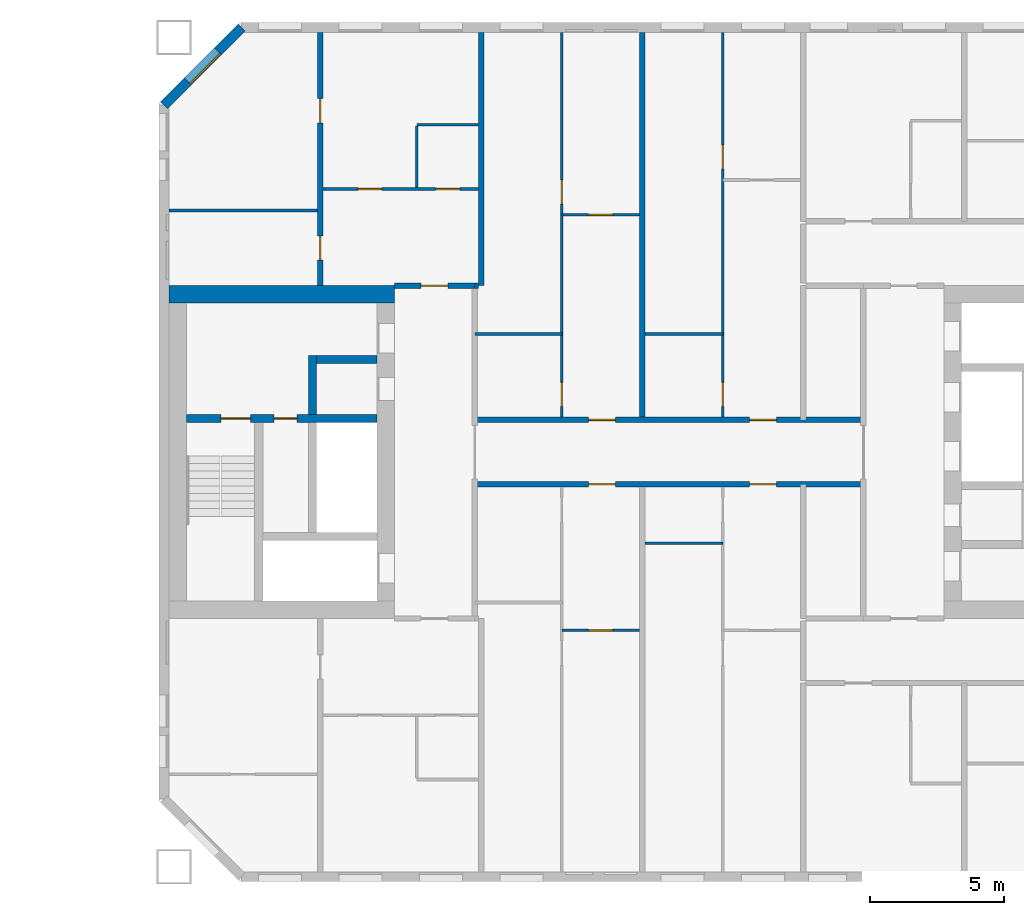
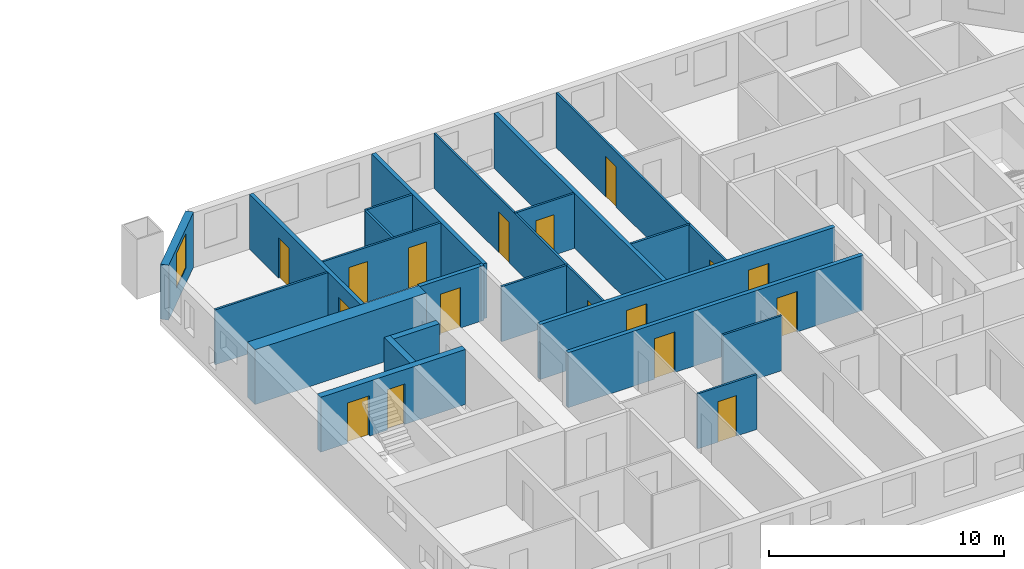
# One storey, part 11 of 17: 23 walls, 17 doors, 1 window, 18 openings.
"""IFC4 building model written with IfcOpenShell, lengths in metres."""

from ifc_helpers import new_model, si_unit, direction, frame, frame_2d, origin, place, context, subcontext, project, spatial, rectangle, extrude, material, layer, layer_set, type_object, element, fill, save


model = new_model("IFC4")

# Units and contexts
model_context = context("Model", 3, precision=1e-05, world=origin(), true_north=direction((0.0, 1.0)))
body_context = subcontext(model_context, "Body", "Model", "MODEL_VIEW")
ifc_project = project(units=[si_unit("LENGTHUNIT", "METRE"), si_unit("AREAUNIT", "SQUARE_METRE"), si_unit("VOLUMEUNIT", "CUBIC_METRE"), si_unit("PLANEANGLEUNIT", "RADIAN"), si_unit("MASSUNIT", "GRAM", prefix="KILO")], contexts=[model_context])

# Site, building, storey
site_placement = place(None, origin())
site = spatial("IfcSite", under=ifc_project, at=site_placement, CompositionType="ELEMENT")
building_placement = place(site_placement, origin())
building = spatial("IfcBuilding", under=site, at=building_placement, Name="Tuart Gate Housing", CompositionType="ELEMENT")
storey_placement = place(building_placement, frame((0.0, 0.0, 108.800048828125)))
storey = spatial("IfcBuildingStorey", under=building, at=storey_placement, Name="L30", CompositionType="ELEMENT", Elevation=108.800048828125)

# Wall, opening, window
ifc_material_1 = material(Name="Brick", Category="masonry")
ifc_layer_1 = layer(ifc_material_1, 0.360107421875)
ifc_layer_set_1 = layer_set([ifc_layer_1], Name="Brick pier and spandrel wall 360")
wall_type_1 = type_object("IfcWallType", Name="Brick pier and spandrel wall 360", PredefinedType="STANDARD", material=ifc_layer_set_1)
wall_1_placement = place(storey_placement, frame((134.07470703125, 85.820068359375, 0.0), z_axis=(0.0, 0.0, 1.0), x_axis=(-0.707106781187, -0.707106781187, 0.0)))
wall_1 = element("IfcWall", 1, at=wall_1_placement, inside=storey, type_object=wall_type_1, Name="External wall B-NW L30", PredefinedType="STANDARD", context=body_context, shape_type="SweptSolid", body=[
    extrude(rectangle(XDim=4.09375, YDim=0.360107421875, at=frame_2d((2.046875, 0.0))), origin(), (0.0, 0.0, 1.0), 2.849853515625),
])
opening_1_placement = place(wall_1_placement, frame((1.2470703125, 0.0, 0.800048828125)))
opening_1 = element("IfcOpeningElement", 2, at=opening_1_placement, cuts=wall_1, Name="Opening W1", PredefinedType="OPENING", context=body_context, shape_type="SweptSolid", body=[
    extrude(rectangle(XDim=1.60009765625, YDim=1.800048828125, at=frame_2d((0.800048828125, 0.89990234375))), frame((0.0, 0.18994140625, 0.0), z_axis=(0.0, -1.0, 0.0), x_axis=(1.0, 0.0, 0.0)), (0.0, 0.0, 1.0), 0.380126953125),
])
ifc_material_2 = material(Name="Aluminium frame with clear glass", Category="aluminium")
window_type = type_object("IfcWindowType", Name="Punched window 1600 x 1800", PartitioningType="SINGLE_PANEL", PredefinedType="WINDOW", material=ifc_material_2)
window_placement = place(opening_1_placement, origin())
window = element("IfcWindow", 3, at=window_placement, inside=storey, type_object=window_type, Name="Window W1", OverallHeight=1.800048828125, OverallWidth=1.60009765625, PartitioningType="SINGLE_PANEL", PredefinedType="WINDOW", context=body_context, shape_type="SweptSolid", body=[
    extrude(rectangle(XDim=1.60009765625, YDim=1.800048828125, at=frame_2d((0.800048828125, 0.89990234375))), frame((0.0, 0.150146484375, 0.0), z_axis=(0.0, -1.0, 0.0), x_axis=(1.0, 0.0, 0.0)), (0.0, 0.0, 1.0), 0.06005859375),
])
fill(opening_1, window)

# Wall, openings, doors
ifc_material_3 = material(Name="Concrete C50", Category="concrete")
ifc_layer_2 = layer(ifc_material_3, 0.300048828125)
ifc_layer_set_2 = layer_set([ifc_layer_2], Name="Core wall 300 C50")
wall_type_2 = type_object("IfcWallType", Name="Core wall 300 C50", PredefinedType="SHEAR", material=ifc_layer_set_2)
wall_2_placement = place(storey_placement, frame((139.110107421875, 71.25, 0.0), z_axis=(0.0, 0.0, 1.0), x_axis=(-1.0, 0.0, 0.0)))
wall_2 = element("IfcWall", 4, at=wall_2_placement, inside=storey, type_object=wall_type_2, Name="Core wall BG.2", PredefinedType="SHEAR", context=body_context, shape_type="SweptSolid", body=[
    extrude(rectangle(XDim=7.10009765625, YDim=0.300048828125, at=frame_2d((3.550048828125, 0.0))), origin(), (0.0, 0.0, 1.0), 2.849853515625),
])
opening_2_placement = place(wall_2_placement, frame((4.699951171875, 0.0, 0.0)))
opening_2 = element("IfcOpeningElement", 5, at=opening_2_placement, cuts=wall_2, Name="Opening D1256", PredefinedType="OPENING", context=body_context, shape_type="SweptSolid", body=[
    extrude(rectangle(XDim=1.10009765625, YDim=2.10009765625, at=frame_2d((0.550048828125, 1.050048828125))), frame((0.0, 0.159912109375, 0.0), z_axis=(0.0, -1.0, 0.0), x_axis=(1.0, 0.0, 0.0)), (0.0, 0.0, 1.0), 0.320068359375),
])
opening_3_placement = place(wall_2_placement, frame((2.97509765625, 0.0, 0.0)))
opening_3 = element("IfcOpeningElement", 6, at=opening_3_placement, cuts=wall_2, Name="Opening D1255", PredefinedType="OPENING", context=body_context, shape_type="SweptSolid", body=[
    extrude(rectangle(XDim=0.85009765625, YDim=2.10009765625, at=frame_2d((0.425048828125, 1.050048828125))), frame((0.0, 0.159912109375, 0.0), z_axis=(0.0, -1.0, 0.0), x_axis=(1.0, 0.0, 0.0)), (0.0, 0.0, 1.0), 0.320068359375),
])
ifc_material_4 = material(Name="Steel fire door", Category="steel")
door_type_1 = type_object("IfcDoorType", Name="Riser door 850 x 2100", OperationType="SINGLE_SWING_LEFT", PredefinedType="DOOR", material=ifc_material_4)
door_1_placement = place(opening_3_placement, origin())
door_1 = element("IfcDoor", 7, at=door_1_placement, inside=storey, type_object=door_type_1, Name="Service room door BG.W1", OperationType="SINGLE_SWING_LEFT", OverallHeight=2.10009765625, OverallWidth=0.85009765625, PredefinedType="DOOR", context=body_context, shape_type="SweptSolid", body=[
    extrude(rectangle(XDim=0.85009765625, YDim=2.10009765625, at=frame_2d((0.425048828125, 1.050048828125))), frame((0.0, 0.02490234375, 0.0), z_axis=(0.0, -1.0, 0.0), x_axis=(1.0, 0.0, 0.0)), (0.0, 0.0, 1.0), 0.050048828125),
])
fill(opening_3, door_1)
ifc_material_5 = material(Name="Steel fire door", Category="steel")
door_type_2 = type_object("IfcDoorType", Name="Stair door 1100 x 2100", OperationType="SINGLE_SWING_LEFT", PredefinedType="DOOR", material=ifc_material_5)
door_2_placement = place(opening_2_placement, origin())
door_2 = element("IfcDoor", 8, at=door_2_placement, inside=storey, type_object=door_type_2, Name="Stair door BG.SD", OperationType="SINGLE_SWING_LEFT", OverallHeight=2.10009765625, OverallWidth=1.10009765625, PredefinedType="DOOR", context=body_context, shape_type="SweptSolid", body=[
    extrude(rectangle(XDim=1.10009765625, YDim=2.10009765625, at=frame_2d((0.550048828125, 1.050048828125))), frame((0.0, 0.02490234375, 0.0), z_axis=(0.0, -1.0, 0.0), x_axis=(1.0, 0.0, 0.0)), (0.0, 0.0, 1.0), 0.050048828125),
])
fill(opening_2, door_2)

# Walls
wall_3_placement = place(storey_placement, frame((139.110107421875, 73.449951171875, 0.0), z_axis=(0.0, 0.0, 1.0), x_axis=(-1.0, 0.0, 0.0)))
element("IfcWall", 9, at=wall_3_placement, inside=storey, type_object=wall_type_2, Name="Core wall BG.3", PredefinedType="SHEAR", context=body_context, shape_type="SweptSolid", body=[
    extrude(rectangle(XDim=2.25, YDim=0.300048828125, at=frame_2d((1.125, 0.0))), origin(), (0.0, 0.0, 1.0), 2.849853515625),
])
wall_4_placement = place(storey_placement, frame((136.7099609375, 71.39990234375, 0.0), z_axis=(0.0, 0.0, 1.0), x_axis=(0.0, 1.0, 0.0)))
element("IfcWall", 10, at=wall_4_placement, inside=storey, type_object=wall_type_2, Name="Core wall BG.5", PredefinedType="SHEAR", context=body_context, shape_type="SweptSolid", body=[
    extrude(rectangle(XDim=2.2001953125, YDim=0.300048828125, at=frame_2d((1.10009765625, 0.0))), origin(), (0.0, 0.0, 1.0), 2.849853515625),
])
ifc_material_6 = material(Name="Concrete C50", Category="concrete")
ifc_layer_3 = layer(ifc_material_6, 0.64990234375)
ifc_layer_set_3 = layer_set([ifc_layer_3], Name="Core wall 650 C50")
wall_type_3 = type_object("IfcWallType", Name="Core wall 650 C50", PredefinedType="SHEAR", material=ifc_layer_set_3)
wall_5_placement = place(storey_placement, frame((139.760009765625, 75.875, 0.0), z_axis=(0.0, 0.0, 1.0), x_axis=(-1.0, 0.0, 0.0)))
element("IfcWall", 11, at=wall_5_placement, inside=storey, type_object=wall_type_3, Name="Core wall BG north", PredefinedType="SHEAR", context=body_context, shape_type="SweptSolid", body=[
    extrude(rectangle(XDim=8.39990234375, YDim=0.64990234375, at=frame_2d((4.199951171875, 0.0))), origin(), (0.0, 0.0, 1.0), 2.849853515625),
])

# Wall, openings, doors
ifc_material_7 = material(Name="Concrete masonry 15 MPa", Category="masonry")
ifc_layer_4 = layer(ifc_material_7, 0.199951171875)
ifc_layer_set_4 = layer_set([ifc_layer_4], Name="Corridor wall masonry 200")
wall_type_4 = type_object("IfcWallType", Name="Corridor wall masonry 200", PredefinedType="PARTITIONING", material=ifc_layer_set_4)
wall_6_placement = place(storey_placement, frame((142.760009765625, 68.800048828125, 0.0), z_axis=(0.0, 0.0, 1.0), x_axis=(1.0, 0.0, 0.0)))
wall_6 = element("IfcWall", 12, at=wall_6_placement, inside=storey, type_object=wall_type_4, Name="Corridor wall masonry 200", PredefinedType="PARTITIONING", context=body_context, shape_type="SweptSolid", body=[
    extrude(rectangle(XDim=14.47998046875, YDim=0.199951171875, at=frame_2d((7.239990234375, 0.0))), origin(), (0.0, 0.0, 1.0), 2.849853515625),
])
opening_4_placement = place(wall_6_placement, frame((4.239990234375, 0.0, 0.0)))
opening_4 = element("IfcOpeningElement", 13, at=opening_4_placement, cuts=wall_6, Name="Opening D1267", PredefinedType="OPENING", context=body_context, shape_type="SweptSolid", body=[
    extrude(rectangle(XDim=1.0, YDim=2.10009765625, at=frame_2d((0.5, 1.050048828125))), frame((0.0, 0.10986328125, 0.0), z_axis=(0.0, -1.0, 0.0), x_axis=(1.0, 0.0, 0.0)), (0.0, 0.0, 1.0), 0.219970703125),
])
opening_5_placement = place(wall_6_placement, frame((10.239990234375, 0.0, 0.0)))
opening_5 = element("IfcOpeningElement", 14, at=opening_5_placement, cuts=wall_6, Name="Opening D1268", PredefinedType="OPENING", context=body_context, shape_type="SweptSolid", body=[
    extrude(rectangle(XDim=1.0, YDim=2.10009765625, at=frame_2d((0.5, 1.050048828125))), frame((0.0, 0.10986328125, 0.0), z_axis=(0.0, -1.0, 0.0), x_axis=(1.0, 0.0, 0.0)), (0.0, 0.0, 1.0), 0.219970703125),
])
ifc_material_8 = material(Name="Timber door leaf in steel frame", Category="steel")
door_type_3 = type_object("IfcDoorType", Name="Flat entrance door 1000 RH", OperationType="SINGLE_SWING_RIGHT", PredefinedType="DOOR", material=ifc_material_8)
door_3_placement = place(opening_4_placement, frame((1.0, 0.0, 0.0), z_axis=(0.0, 0.0, 1.0), x_axis=(-1.0, 0.0, 0.0)))
door_3 = element("IfcDoor", 15, at=door_3_placement, inside=storey, type_object=door_type_3, Name="Flat entrance door", OperationType="SINGLE_SWING_RIGHT", OverallHeight=2.10009765625, OverallWidth=1.0, PredefinedType="DOOR", context=body_context, shape_type="SweptSolid", body=[
    extrude(rectangle(XDim=1.0, YDim=2.10009765625, at=frame_2d((0.5, 1.050048828125))), frame((0.0, 0.025146484375, 0.0), z_axis=(0.0, -1.0, 0.0), x_axis=(1.0, 0.0, 0.0)), (0.0, 0.0, 1.0), 0.050048828125),
])
fill(opening_4, door_3)
door_4_placement = place(opening_5_placement, frame((1.0, 0.0, 0.0), z_axis=(0.0, 0.0, 1.0), x_axis=(-1.0, 0.0, 0.0)))
door_4 = element("IfcDoor", 16, at=door_4_placement, inside=storey, type_object=door_type_3, Name="Flat entrance door", OperationType="SINGLE_SWING_RIGHT", OverallHeight=2.10009765625, OverallWidth=1.0, PredefinedType="DOOR", context=body_context, shape_type="SweptSolid", body=[
    extrude(rectangle(XDim=1.0, YDim=2.10009765625, at=frame_2d((0.5, 1.050048828125))), frame((0.0, 0.025146484375, 0.0), z_axis=(0.0, -1.0, 0.0), x_axis=(1.0, 0.0, 0.0)), (0.0, 0.0, 1.0), 0.050048828125),
])
fill(opening_5, door_4)

wall_7_placement = place(storey_placement, frame((142.760009765625, 71.199951171875, 0.0), z_axis=(0.0, 0.0, 1.0), x_axis=(1.0, 0.0, 0.0)))
wall_7 = element("IfcWall", 17, at=wall_7_placement, inside=storey, type_object=wall_type_4, Name="Corridor wall masonry 200", PredefinedType="PARTITIONING", context=body_context, shape_type="SweptSolid", body=[
    extrude(rectangle(XDim=14.47998046875, YDim=0.199951171875, at=frame_2d((7.239990234375, 0.0))), origin(), (0.0, 0.0, 1.0), 2.849853515625),
])
opening_6_placement = place(wall_7_placement, frame((4.239990234375, 0.0, 0.0)))
opening_6 = element("IfcOpeningElement", 18, at=opening_6_placement, cuts=wall_7, Name="Opening D1257", PredefinedType="OPENING", context=body_context, shape_type="SweptSolid", body=[
    extrude(rectangle(XDim=1.0, YDim=2.10009765625, at=frame_2d((0.5, 1.050048828125))), frame((0.0, 0.10986328125, 0.0), z_axis=(0.0, -1.0, 0.0), x_axis=(1.0, 0.0, 0.0)), (0.0, 0.0, 1.0), 0.219970703125),
])
opening_7_placement = place(wall_7_placement, frame((10.239990234375, 0.0, 0.0)))
opening_7 = element("IfcOpeningElement", 19, at=opening_7_placement, cuts=wall_7, Name="Opening D1258", PredefinedType="OPENING", context=body_context, shape_type="SweptSolid", body=[
    extrude(rectangle(XDim=1.0, YDim=2.10009765625, at=frame_2d((0.5, 1.050048828125))), frame((0.0, 0.10986328125, 0.0), z_axis=(0.0, -1.0, 0.0), x_axis=(1.0, 0.0, 0.0)), (0.0, 0.0, 1.0), 0.219970703125),
])
ifc_material_9 = material(Name="Timber door leaf in steel frame", Category="steel")
door_type_4 = type_object("IfcDoorType", Name="Flat entrance door 1000", OperationType="SINGLE_SWING_LEFT", PredefinedType="DOOR", material=ifc_material_9)
door_5_placement = place(opening_6_placement, origin())
door_5 = element("IfcDoor", 20, at=door_5_placement, inside=storey, type_object=door_type_4, Name="Flat entrance door", OperationType="SINGLE_SWING_LEFT", OverallHeight=2.10009765625, OverallWidth=1.0, PredefinedType="DOOR", context=body_context, shape_type="SweptSolid", body=[
    extrude(rectangle(XDim=1.0, YDim=2.10009765625, at=frame_2d((0.5, 1.050048828125))), frame((0.0, 0.02490234375, 0.0), z_axis=(0.0, -1.0, 0.0), x_axis=(1.0, 0.0, 0.0)), (0.0, 0.0, 1.0), 0.050048828125),
])
fill(opening_6, door_5)
door_6_placement = place(opening_7_placement, origin())
door_6 = element("IfcDoor", 21, at=door_6_placement, inside=storey, type_object=door_type_4, Name="Flat entrance door", OperationType="SINGLE_SWING_LEFT", OverallHeight=2.10009765625, OverallWidth=1.0, PredefinedType="DOOR", context=body_context, shape_type="SweptSolid", body=[
    extrude(rectangle(XDim=1.0, YDim=2.10009765625, at=frame_2d((0.5, 1.050048828125))), frame((0.0, 0.02490234375, 0.0), z_axis=(0.0, -1.0, 0.0), x_axis=(1.0, 0.0, 0.0)), (0.0, 0.0, 1.0), 0.050048828125),
])
fill(opening_7, door_6)

# Wall, opening, door
ifc_material_10 = material(Name="Concrete masonry 15 MPa", Category="masonry")
ifc_layer_5 = layer(ifc_material_10, 0.199951171875)
ifc_layer_set_5 = layer_set([ifc_layer_5], Name="Enclosure wall masonry 200")
wall_type_5 = type_object("IfcWallType", Name="Enclosure wall masonry 200", PredefinedType="PARTITIONING", material=ifc_layer_set_5)
wall_8_placement = place(storey_placement, frame((139.760009765625, 76.199951171875, 0.0), z_axis=(0.0, 0.0, 1.0), x_axis=(1.0, 0.0, 0.0)))
wall_8 = element("IfcWall", 22, at=wall_8_placement, inside=storey, type_object=wall_type_5, Name="Enclosure wall masonry 200", PredefinedType="PARTITIONING", context=body_context, shape_type="SweptSolid", body=[
    extrude(rectangle(XDim=3.0, YDim=0.199951171875, at=frame_2d((1.5, 0.0))), origin(), (0.0, 0.0, 1.0), 2.849853515625),
])
opening_8_placement = place(wall_8_placement, frame((1.0, 0.0, 0.0)))
opening_8 = element("IfcOpeningElement", 23, at=opening_8_placement, cuts=wall_8, Name="Opening D1253", PredefinedType="OPENING", context=body_context, shape_type="SweptSolid", body=[
    extrude(rectangle(XDim=1.0, YDim=2.10009765625, at=frame_2d((0.5, 1.050048828125))), frame((0.0, 0.10986328125, 0.0), z_axis=(0.0, -1.0, 0.0), x_axis=(1.0, 0.0, 0.0)), (0.0, 0.0, 1.0), 0.219970703125),
])
door_7_placement = place(opening_8_placement, origin())
door_7 = element("IfcDoor", 24, at=door_7_placement, inside=storey, type_object=door_type_3, Name="Flat entrance door", OperationType="SINGLE_SWING_RIGHT", OverallHeight=2.10009765625, OverallWidth=1.0, PredefinedType="DOOR", context=body_context, shape_type="SweptSolid", body=[
    extrude(rectangle(XDim=1.0, YDim=2.10009765625, at=frame_2d((0.5, 1.050048828125))), frame((0.0, 0.02490234375, 0.0), z_axis=(0.0, -1.0, 0.0), x_axis=(1.0, 0.0, 0.0)), (0.0, 0.0, 1.0), 0.050048828125),
])
fill(opening_8, door_7)

ifc_material_11 = material(Name="Gypsum board on steel studs", Category="steel")
ifc_layer_6 = layer(ifc_material_11, 0.10009765625)
ifc_layer_set_6 = layer_set([ifc_layer_6], Name="Partition 100")
wall_type_6 = type_object("IfcWallType", Name="Partition 100", PredefinedType="PARTITIONING", material=ifc_layer_set_6)
wall_9_placement = place(storey_placement, frame((146.0, 63.360107421875, 0.0), z_axis=(0.0, 0.0, 1.0), x_axis=(1.0, 0.0, 0.0)))
wall_9 = element("IfcWall", 25, at=wall_9_placement, inside=storey, type_object=wall_type_6, Name="Partition 100", PredefinedType="PARTITIONING", context=body_context, shape_type="SweptSolid", body=[
    extrude(rectangle(XDim=2.89990234375, YDim=0.10009765625, at=frame_2d((1.449951171875, 0.0))), origin(), (0.0, 0.0, 1.0), 2.849853515625),
])
opening_9_placement = place(wall_9_placement, frame((1.0, 0.0, 0.0)))
opening_9 = element("IfcOpeningElement", 26, at=opening_9_placement, cuts=wall_9, Name="Opening D1274", PredefinedType="OPENING", context=body_context, shape_type="SweptSolid", body=[
    extrude(rectangle(XDim=0.89990234375, YDim=2.10009765625, at=frame_2d((0.449951171875, 1.050048828125))), frame((0.0, 0.06005859375, 0.0), z_axis=(0.0, -1.0, 0.0), x_axis=(1.0, 0.0, 0.0)), (0.0, 0.0, 1.0), 0.1201171875),
])
ifc_material_12 = material(Name="Timber door leaf in steel frame", Category="steel")
door_type_5 = type_object("IfcDoorType", Name="Internal door 900", OperationType="SINGLE_SWING_LEFT", PredefinedType="DOOR", material=ifc_material_12)
door_8_placement = place(opening_9_placement, origin())
door_8 = element("IfcDoor", 27, at=door_8_placement, inside=storey, type_object=door_type_5, Name="Internal door", OperationType="SINGLE_SWING_LEFT", OverallHeight=2.10009765625, OverallWidth=0.89990234375, PredefinedType="DOOR", context=body_context, shape_type="SweptSolid", body=[
    extrude(rectangle(XDim=0.89990234375, YDim=2.10009765625, at=frame_2d((0.449951171875, 1.050048828125))), frame((0.0, 0.02490234375, 0.0), z_axis=(0.0, -1.0, 0.0), x_axis=(1.0, 0.0, 0.0)), (0.0, 0.0, 1.0), 0.050048828125),
])
fill(opening_9, door_8)

# Walls
wall_10_placement = place(storey_placement, frame((149.10009765625, 66.60009765625, 0.0), z_axis=(0.0, 0.0, 1.0), x_axis=(1.0, 0.0, 0.0)))
element("IfcWall", 28, at=wall_10_placement, inside=storey, type_object=wall_type_6, Name="Partition 100", PredefinedType="PARTITIONING", context=body_context, shape_type="SweptSolid", body=[
    extrude(rectangle(XDim=2.89990234375, YDim=0.10009765625, at=frame_2d((1.449951171875, 0.0))), origin(), (0.0, 0.0, 1.0), 2.849853515625),
])
wall_11_placement = place(storey_placement, frame((142.760009765625, 74.39990234375, 0.0), z_axis=(0.0, 0.0, 1.0), x_axis=(1.0, 0.0, 0.0)))
element("IfcWall", 29, at=wall_11_placement, inside=storey, type_object=wall_type_6, Name="Partition 100", PredefinedType="PARTITIONING", context=body_context, shape_type="SweptSolid", body=[
    extrude(rectangle(XDim=3.239990234375, YDim=0.10009765625, at=frame_2d((1.6201171875, 0.0))), origin(), (0.0, 0.0, 1.0), 2.849853515625),
])
wall_12_placement = place(storey_placement, frame((149.10009765625, 74.39990234375, 0.0), z_axis=(0.0, 0.0, 1.0), x_axis=(1.0, 0.0, 0.0)))
element("IfcWall", 30, at=wall_12_placement, inside=storey, type_object=wall_type_6, Name="Partition 100", PredefinedType="PARTITIONING", context=body_context, shape_type="SweptSolid", body=[
    extrude(rectangle(XDim=2.89990234375, YDim=0.10009765625, at=frame_2d((1.449951171875, 0.0))), origin(), (0.0, 0.0, 1.0), 2.849853515625),
])

# Wall, opening, door
wall_13_placement = place(storey_placement, frame((146.0, 78.840087890625, 0.0), z_axis=(0.0, 0.0, 1.0), x_axis=(1.0, 0.0, 0.0)))
wall_13 = element("IfcWall", 31, at=wall_13_placement, inside=storey, type_object=wall_type_6, Name="Partition 100", PredefinedType="PARTITIONING", context=body_context, shape_type="SweptSolid", body=[
    extrude(rectangle(XDim=2.89990234375, YDim=0.10009765625, at=frame_2d((1.449951171875, 0.0))), origin(), (0.0, 0.0, 1.0), 2.849853515625),
])
opening_10_placement = place(wall_13_placement, frame((1.0, 0.0, 0.0)))
opening_10 = element("IfcOpeningElement", 32, at=opening_10_placement, cuts=wall_13, Name="Opening D1245", PredefinedType="OPENING", context=body_context, shape_type="SweptSolid", body=[
    extrude(rectangle(XDim=0.89990234375, YDim=2.10009765625, at=frame_2d((0.449951171875, 1.050048828125))), frame((0.0, 0.06005859375, 0.0), z_axis=(0.0, -1.0, 0.0), x_axis=(1.0, 0.0, 0.0)), (0.0, 0.0, 1.0), 0.1201171875),
])
ifc_material_13 = material(Name="Timber door leaf in steel frame", Category="steel")
door_type_6 = type_object("IfcDoorType", Name="Internal door 900 RH", OperationType="SINGLE_SWING_RIGHT", PredefinedType="DOOR", material=ifc_material_13)
door_9_placement = place(opening_10_placement, frame((0.89990234375, 0.0, 0.0), z_axis=(0.0, 0.0, 1.0), x_axis=(-1.0, 0.0, 0.0)))
door_9 = element("IfcDoor", 33, at=door_9_placement, inside=storey, type_object=door_type_6, Name="Internal door", OperationType="SINGLE_SWING_RIGHT", OverallHeight=2.10009765625, OverallWidth=0.89990234375, PredefinedType="DOOR", context=body_context, shape_type="SweptSolid", body=[
    extrude(rectangle(XDim=0.89990234375, YDim=2.10009765625, at=frame_2d((0.449951171875, 1.050048828125))), frame((0.0, 0.025146484375, 0.0), z_axis=(0.0, -1.0, 0.0), x_axis=(1.0, 0.0, 0.0)), (0.0, 0.0, 1.0), 0.050048828125),
])
fill(opening_10, door_9)

# Wall
wall_14_placement = place(storey_placement, frame((131.360107421875, 79.0, 0.0), z_axis=(0.0, 0.0, 1.0), x_axis=(1.0, 0.0, 0.0)))
element("IfcWall", 34, at=wall_14_placement, inside=storey, type_object=wall_type_6, Name="Partition 100", PredefinedType="PARTITIONING", context=body_context, shape_type="SweptSolid", body=[
    extrude(rectangle(XDim=5.539794921875, YDim=0.10009765625, at=frame_2d((2.77001953125, 0.0))), origin(), (0.0, 0.0, 1.0), 2.849853515625),
])

# Wall, openings, doors
wall_15_placement = place(storey_placement, frame((137.10009765625, 79.800048828125, 0.0), z_axis=(0.0, 0.0, 1.0), x_axis=(1.0, 0.0, 0.0)))
wall_15 = element("IfcWall", 35, at=wall_15_placement, inside=storey, type_object=wall_type_6, Name="Partition 100", PredefinedType="PARTITIONING", context=body_context, shape_type="SweptSolid", body=[
    extrude(rectangle(XDim=5.7998046875, YDim=0.10009765625, at=frame_2d((2.89990234375, 0.0))), origin(), (0.0, 0.0, 1.0), 2.849853515625),
])
opening_11_placement = place(wall_15_placement, frame((1.300048828125, 0.0, 0.0)))
opening_11 = element("IfcOpeningElement", 36, at=opening_11_placement, cuts=wall_15, Name="Opening D1244", PredefinedType="OPENING", context=body_context, shape_type="SweptSolid", body=[
    extrude(rectangle(XDim=0.89990234375, YDim=2.10009765625, at=frame_2d((0.449951171875, 1.050048828125))), frame((0.0, 0.06005859375, 0.0), z_axis=(0.0, -1.0, 0.0), x_axis=(1.0, 0.0, 0.0)), (0.0, 0.0, 1.0), 0.1201171875),
])
opening_12_placement = place(wall_15_placement, frame((4.199951171875, 0.0, 0.0)))
opening_12 = element("IfcOpeningElement", 37, at=opening_12_placement, cuts=wall_15, Name="Opening D1243", PredefinedType="OPENING", context=body_context, shape_type="SweptSolid", body=[
    extrude(rectangle(XDim=0.89990234375, YDim=2.10009765625, at=frame_2d((0.449951171875, 1.050048828125))), frame((0.0, 0.06005859375, 0.0), z_axis=(0.0, -1.0, 0.0), x_axis=(1.0, 0.0, 0.0)), (0.0, 0.0, 1.0), 0.1201171875),
])
ifc_material_14 = material(Name="Timber door leaf in steel frame", Category="steel")
door_type_7 = type_object("IfcDoorType", Name="Bathroom door 900", OperationType="SINGLE_SWING_LEFT", PredefinedType="DOOR", material=ifc_material_14)
door_10_placement = place(opening_12_placement, origin())
door_10 = element("IfcDoor", 38, at=door_10_placement, inside=storey, type_object=door_type_7, Name="Bathroom door", OperationType="SINGLE_SWING_LEFT", OverallHeight=2.10009765625, OverallWidth=0.89990234375, PredefinedType="DOOR", context=body_context, shape_type="SweptSolid", body=[
    extrude(rectangle(XDim=0.89990234375, YDim=2.10009765625, at=frame_2d((0.449951171875, 1.050048828125))), frame((0.0, 0.02490234375, 0.0), z_axis=(0.0, -1.0, 0.0), x_axis=(1.0, 0.0, 0.0)), (0.0, 0.0, 1.0), 0.050048828125),
])
fill(opening_12, door_10)
door_11_placement = place(opening_11_placement, frame((0.89990234375, 0.0, 0.0), z_axis=(0.0, 0.0, 1.0), x_axis=(-1.0, 0.0, 0.0)))
door_11 = element("IfcDoor", 39, at=door_11_placement, inside=storey, type_object=door_type_6, Name="Internal door", OperationType="SINGLE_SWING_RIGHT", OverallHeight=2.10009765625, OverallWidth=0.89990234375, PredefinedType="DOOR", context=body_context, shape_type="SweptSolid", body=[
    extrude(rectangle(XDim=0.89990234375, YDim=2.10009765625, at=frame_2d((0.449951171875, 1.050048828125))), frame((0.0, 0.025146484375, 0.0), z_axis=(0.0, -1.0, 0.0), x_axis=(1.0, 0.0, 0.0)), (0.0, 0.0, 1.0), 0.050048828125),
])
fill(opening_11, door_11)

# Walls
for number, where, z_axis, x_axis, name in (
    (40, (140.60009765625, 82.199951171875, 0.0), (0.0, 0.0, 1.0), (1.0, 0.0, 0.0), "Partition 100"),
    (41, (140.60009765625, 79.85009765625, 0.0), (0.0, 0.0, 1.0), (0.0, 1.0, 0.0), "Partition 100"),
):
    element("IfcWall", number, at=place(storey_placement, frame(where, z_axis=z_axis, x_axis=x_axis)), inside=storey, type_object=wall_type_6, Name=name, PredefinedType="PARTITIONING", context=body_context, shape_type="SweptSolid", body=[
        extrude(rectangle(XDim=2.2998046875, YDim=0.10009765625, at=frame_2d((1.14990234375, 0.0))), origin(), (0.0, 0.0, 1.0), 2.849853515625),
    ])

# Wall, openings, doors
wall_16_placement = place(storey_placement, frame((146.0, 71.300048828125, 0.0), z_axis=(0.0, 0.0, 1.0), x_axis=(0.0, 1.0, 0.0)))
wall_16 = element("IfcWall", 42, at=wall_16_placement, inside=storey, type_object=wall_type_6, Name="Partition 100", PredefinedType="PARTITIONING", context=body_context, shape_type="SweptSolid", body=[
    extrude(rectangle(XDim=14.33984375, YDim=0.10009765625, at=frame_2d((7.169921875, 0.0))), origin(), (0.0, 0.0, 1.0), 2.849853515625),
])
opening_13_placement = place(wall_16_placement, frame((7.93994140625, 0.0, 0.0)))
opening_13 = element("IfcOpeningElement", 43, at=opening_13_placement, cuts=wall_16, Name="Opening D1250", PredefinedType="OPENING", context=body_context, shape_type="SweptSolid", body=[
    extrude(rectangle(XDim=0.89990234375, YDim=2.10009765625, at=frame_2d((0.449951171875, 1.050048828125))), frame((0.0, 0.06005859375, 0.0), z_axis=(0.0, -1.0, 0.0), x_axis=(1.0, 0.0, 0.0)), (0.0, 0.0, 1.0), 0.1201171875),
])
opening_14_placement = place(wall_16_placement, frame((0.39990234375, 0.0, 0.0)))
opening_14 = element("IfcOpeningElement", 44, at=opening_14_placement, cuts=wall_16, Name="Opening D1249", PredefinedType="OPENING", context=body_context, shape_type="SweptSolid", body=[
    extrude(rectangle(XDim=0.89990234375, YDim=2.10009765625, at=frame_2d((0.449951171875, 1.050048828125))), frame((0.0, 0.06005859375, 0.0), z_axis=(0.0, -1.0, 0.0), x_axis=(1.0, 0.0, 0.0)), (0.0, 0.0, 1.0), 0.1201171875),
])
door_12_placement = place(opening_14_placement, origin())
door_12 = element("IfcDoor", 45, at=door_12_placement, inside=storey, type_object=door_type_7, Name="Bathroom door", OperationType="SINGLE_SWING_LEFT", OverallHeight=2.10009765625, OverallWidth=0.89990234375, PredefinedType="DOOR", context=body_context, shape_type="SweptSolid", body=[
    extrude(rectangle(XDim=0.89990234375, YDim=2.10009765625, at=frame_2d((0.449951171875, 1.050048828125))), frame((0.0, 0.02490234375, 0.0), z_axis=(0.0, -1.0, 0.0), x_axis=(1.0, 0.0, 0.0)), (0.0, 0.0, 1.0), 0.050048828125),
])
fill(opening_14, door_12)
door_13_placement = place(opening_13_placement, origin())
door_13 = element("IfcDoor", 46, at=door_13_placement, inside=storey, type_object=door_type_5, Name="Internal door", OperationType="SINGLE_SWING_LEFT", OverallHeight=2.10009765625, OverallWidth=0.89990234375, PredefinedType="DOOR", context=body_context, shape_type="SweptSolid", body=[
    extrude(rectangle(XDim=0.89990234375, YDim=2.10009765625, at=frame_2d((0.449951171875, 1.050048828125))), frame((0.0, 0.02490234375, 0.0), z_axis=(0.0, -1.0, 0.0), x_axis=(1.0, 0.0, 0.0)), (0.0, 0.0, 1.0), 0.050048828125),
])
fill(opening_13, door_13)

wall_17_placement = place(storey_placement, frame((152.0, 71.300048828125, 0.0), z_axis=(0.0, 0.0, 1.0), x_axis=(0.0, 1.0, 0.0)))
wall_17 = element("IfcWall", 47, at=wall_17_placement, inside=storey, type_object=wall_type_6, Name="Partition 100", PredefinedType="PARTITIONING", context=body_context, shape_type="SweptSolid", body=[
    extrude(rectangle(XDim=14.33984375, YDim=0.10009765625, at=frame_2d((7.169921875, 0.0))), origin(), (0.0, 0.0, 1.0), 2.849853515625),
])
opening_15_placement = place(wall_17_placement, frame((9.239990234375, 0.0, 0.0)))
opening_15 = element("IfcOpeningElement", 48, at=opening_15_placement, cuts=wall_17, Name="Opening D1252", PredefinedType="OPENING", context=body_context, shape_type="SweptSolid", body=[
    extrude(rectangle(XDim=0.89990234375, YDim=2.10009765625, at=frame_2d((0.449951171875, 1.050048828125))), frame((0.0, 0.06005859375, 0.0), z_axis=(0.0, -1.0, 0.0), x_axis=(1.0, 0.0, 0.0)), (0.0, 0.0, 1.0), 0.1201171875),
])
opening_16_placement = place(wall_17_placement, frame((0.39990234375, 0.0, 0.0)))
opening_16 = element("IfcOpeningElement", 49, at=opening_16_placement, cuts=wall_17, Name="Opening D1251", PredefinedType="OPENING", context=body_context, shape_type="SweptSolid", body=[
    extrude(rectangle(XDim=0.89990234375, YDim=2.10009765625, at=frame_2d((0.449951171875, 1.050048828125))), frame((0.0, 0.06005859375, 0.0), z_axis=(0.0, -1.0, 0.0), x_axis=(1.0, 0.0, 0.0)), (0.0, 0.0, 1.0), 0.1201171875),
])
door_14_placement = place(opening_16_placement, origin())
door_14 = element("IfcDoor", 50, at=door_14_placement, inside=storey, type_object=door_type_7, Name="Bathroom door", OperationType="SINGLE_SWING_LEFT", OverallHeight=2.10009765625, OverallWidth=0.89990234375, PredefinedType="DOOR", context=body_context, shape_type="SweptSolid", body=[
    extrude(rectangle(XDim=0.89990234375, YDim=2.10009765625, at=frame_2d((0.449951171875, 1.050048828125))), frame((0.0, 0.02490234375, 0.0), z_axis=(0.0, -1.0, 0.0), x_axis=(1.0, 0.0, 0.0)), (0.0, 0.0, 1.0), 0.050048828125),
])
fill(opening_16, door_14)
door_15_placement = place(opening_15_placement, origin())
door_15 = element("IfcDoor", 51, at=door_15_placement, inside=storey, type_object=door_type_6, Name="Internal door", OperationType="SINGLE_SWING_RIGHT", OverallHeight=2.10009765625, OverallWidth=0.89990234375, PredefinedType="DOOR", context=body_context, shape_type="SweptSolid", body=[
    extrude(rectangle(XDim=0.89990234375, YDim=2.10009765625, at=frame_2d((0.449951171875, 1.050048828125))), frame((0.0, 0.02490234375, 0.0), z_axis=(0.0, -1.0, 0.0), x_axis=(1.0, 0.0, 0.0)), (0.0, 0.0, 1.0), 0.050048828125),
])
fill(opening_15, door_15)

ifc_material_15 = material(Name="Concrete C40", Category="concrete")
ifc_layer_7 = layer(ifc_material_15, 0.199951171875)
ifc_layer_set_7 = layer_set([ifc_layer_7], Name="Party wall concrete C40 200")
wall_type_7 = type_object("IfcWallType", Name="Party wall concrete C40 200", PredefinedType="SOLIDWALL", material=ifc_layer_set_7)
wall_18_placement = place(storey_placement, frame((137.0, 76.199951171875, 0.0), z_axis=(0.0, 0.0, 1.0), x_axis=(0.0, 1.0, 0.0)))
wall_18 = element("IfcWall", 52, at=wall_18_placement, inside=storey, type_object=wall_type_7, Name="Party wall concrete C40 200", PredefinedType="SOLIDWALL", context=body_context, shape_type="SweptSolid", body=[
    extrude(rectangle(XDim=9.43994140625, YDim=0.199951171875, at=frame_2d((4.719970703125, 0.0))), origin(), (0.0, 0.0, 1.0), 2.849853515625),
])
opening_17_placement = place(wall_18_placement, frame((6.070068359375, 0.0, 0.0)))
opening_17 = element("IfcOpeningElement", 53, at=opening_17_placement, cuts=wall_18, Name="Opening D1237", PredefinedType="OPENING", context=body_context, shape_type="SweptSolid", body=[
    extrude(rectangle(XDim=0.89990234375, YDim=2.10009765625, at=frame_2d((0.449951171875, 1.050048828125))), frame((0.0, 0.10986328125, 0.0), z_axis=(0.0, -1.0, 0.0), x_axis=(1.0, 0.0, 0.0)), (0.0, 0.0, 1.0), 0.219970703125),
])
opening_18_placement = place(wall_18_placement, frame((0.949951171875, 0.0, 0.0)))
opening_18 = element("IfcOpeningElement", 54, at=opening_18_placement, cuts=wall_18, Name="Opening D1238", PredefinedType="OPENING", context=body_context, shape_type="SweptSolid", body=[
    extrude(rectangle(XDim=0.89990234375, YDim=2.10009765625, at=frame_2d((0.449951171875, 1.050048828125))), frame((0.0, 0.10986328125, 0.0), z_axis=(0.0, -1.0, 0.0), x_axis=(1.0, 0.0, 0.0)), (0.0, 0.0, 1.0), 0.219970703125),
])
door_16_placement = place(opening_18_placement, origin())
door_16 = element("IfcDoor", 55, at=door_16_placement, inside=storey, type_object=door_type_5, Name="Internal door", OperationType="SINGLE_SWING_LEFT", OverallHeight=2.10009765625, OverallWidth=0.89990234375, PredefinedType="DOOR", context=body_context, shape_type="SweptSolid", body=[
    extrude(rectangle(XDim=0.89990234375, YDim=2.10009765625, at=frame_2d((0.449951171875, 1.050048828125))), frame((0.0, 0.02490234375, 0.0), z_axis=(0.0, -1.0, 0.0), x_axis=(1.0, 0.0, 0.0)), (0.0, 0.0, 1.0), 0.050048828125),
])
fill(opening_18, door_16)
door_17_placement = place(opening_17_placement, origin())
door_17 = element("IfcDoor", 56, at=door_17_placement, inside=storey, type_object=door_type_6, Name="Internal door", OperationType="SINGLE_SWING_RIGHT", OverallHeight=2.10009765625, OverallWidth=0.89990234375, PredefinedType="DOOR", context=body_context, shape_type="SweptSolid", body=[
    extrude(rectangle(XDim=0.89990234375, YDim=2.10009765625, at=frame_2d((0.449951171875, 1.050048828125))), frame((0.0, 0.02490234375, 0.0), z_axis=(0.0, -1.0, 0.0), x_axis=(1.0, 0.0, 0.0)), (0.0, 0.0, 1.0), 0.050048828125),
])
fill(opening_17, door_17)

# Walls
wall_19_placement = place(storey_placement, frame((143.0, 76.199951171875, 0.0), z_axis=(0.0, 0.0, 1.0), x_axis=(0.0, 1.0, 0.0)))
element("IfcWall", 57, at=wall_19_placement, inside=storey, type_object=wall_type_7, Name="Party wall concrete C40 200", PredefinedType="SOLIDWALL", context=body_context, shape_type="SweptSolid", body=[
    extrude(rectangle(XDim=9.43994140625, YDim=0.199951171875, at=frame_2d((4.719970703125, 0.0))), origin(), (0.0, 0.0, 1.0), 2.849853515625),
])
wall_20_placement = place(storey_placement, frame((149.0, 71.199951171875, 0.0), z_axis=(0.0, 0.0, 1.0), x_axis=(0.0, 1.0, 0.0)))
element("IfcWall", 58, at=wall_20_placement, inside=storey, type_object=wall_type_7, Name="Party wall concrete C40 200", PredefinedType="SOLIDWALL", context=body_context, shape_type="SweptSolid", body=[
    extrude(rectangle(XDim=14.43994140625, YDim=0.199951171875, at=frame_2d((7.219970703125, 0.0))), origin(), (0.0, 0.0, 1.0), 2.849853515625),
])
ifc_material_16 = material(Name="Concrete masonry 15 MPa", Category="masonry")
ifc_layer_8 = layer(ifc_material_16, 0.199951171875)
ifc_layer_set_8 = layer_set([ifc_layer_8], Name="Party wall masonry 200")
wall_type_8 = type_object("IfcWallType", Name="Party wall masonry 200", PredefinedType="PARTITIONING", material=ifc_layer_set_8)
wall_21_placement = place(storey_placement, frame((142.760009765625, 76.199951171875, 0.0), z_axis=(0.0, 0.0, 1.0), x_axis=(1.0, 0.0, 0.0)))
element("IfcWall", 59, at=wall_21_placement, inside=storey, type_object=wall_type_8, Name="Party wall masonry 200", PredefinedType="PARTITIONING", context=body_context, shape_type="SweptSolid", body=[
    extrude(rectangle(XDim=0.139892578125, YDim=0.199951171875, at=frame_2d((0.06982421875, 0.0))), origin(), (0.0, 0.0, 1.0), 2.849853515625),
])

save(model, "model.ifc")
